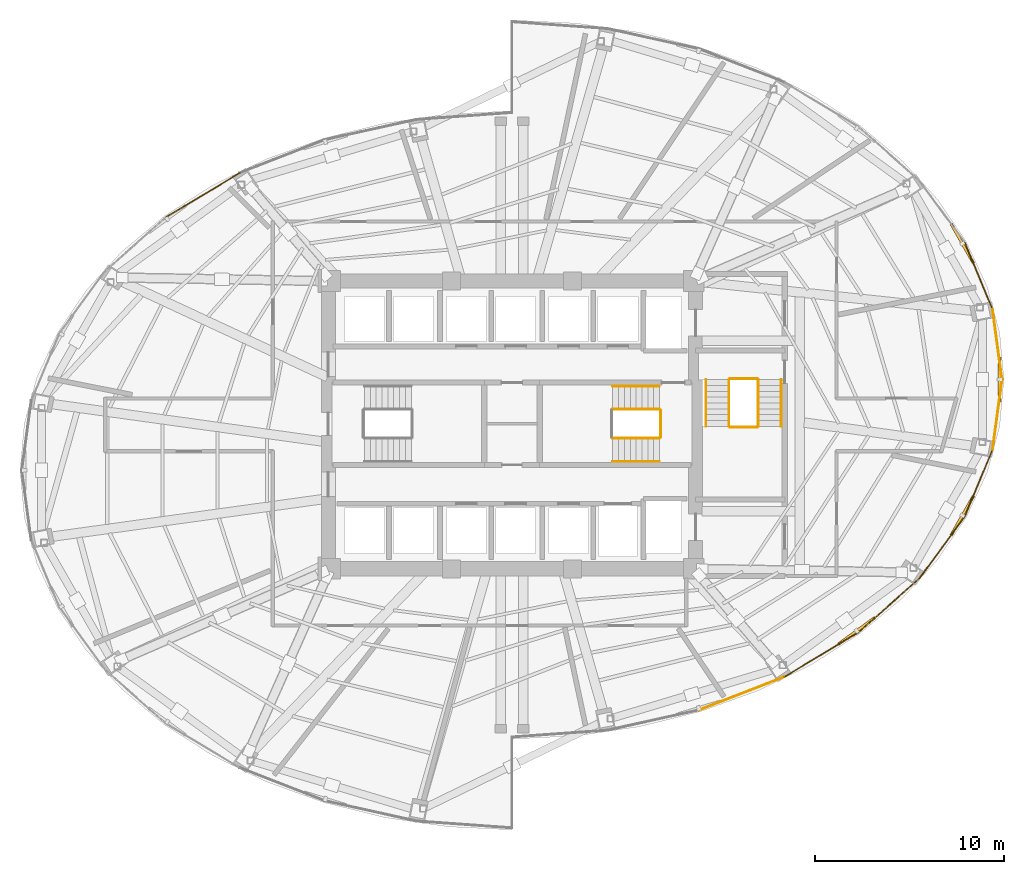
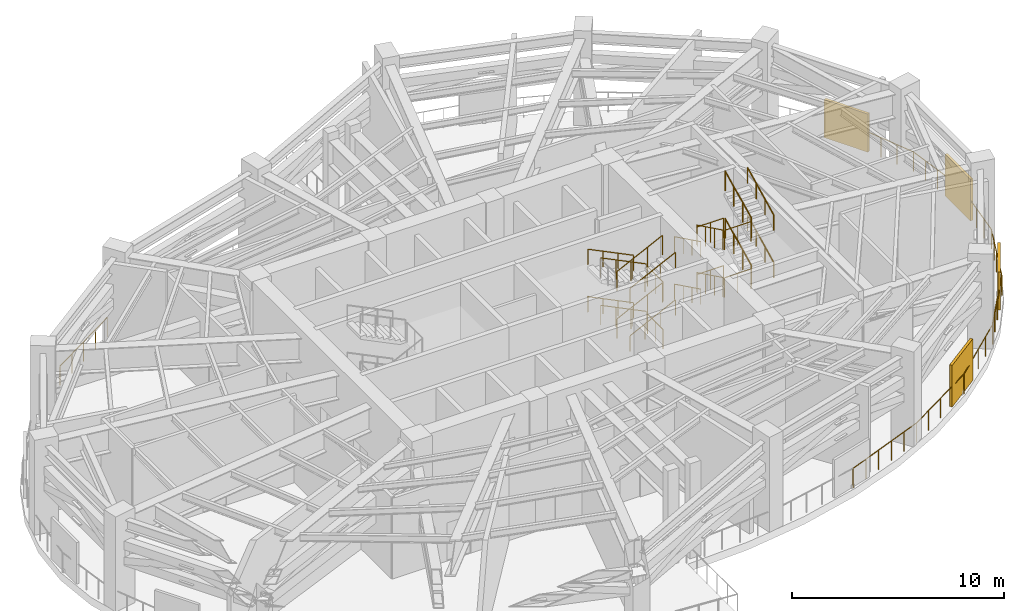
# One storey, part 11 of 12: 31 railings, 4 shading devices.
"""IFC4 building model written with IfcOpenShell, lengths in metres."""

from ifc_helpers import new_model, si_unit, direction, frame, origin, origin_2d, place, context, subcontext, project, spatial, rectangle, circle, extrude, material, type_object, element, save


model = new_model("IFC4")

# Units and contexts
model_context = context("Model", 3, precision=1e-05, world=origin(), true_north=direction((0.0, 1.0)))
body_context = subcontext(model_context, "Body", "Model", "MODEL_VIEW")
ifc_project = project(units=[si_unit("LENGTHUNIT", "METRE"), si_unit("AREAUNIT", "SQUARE_METRE"), si_unit("VOLUMEUNIT", "CUBIC_METRE"), si_unit("PLANEANGLEUNIT", "RADIAN"), si_unit("MASSUNIT", "GRAM", prefix="KILO")], contexts=[model_context])

# Site, building, storey
site_placement = place(None, origin())
site = spatial("IfcSite", under=ifc_project, at=site_placement, CompositionType="ELEMENT")
building_placement = place(site_placement, origin())
building = spatial("IfcBuilding", under=site, at=building_placement, Name="Lazwardi Medical Tower", CompositionType="ELEMENT")
storey_placement = place(building_placement, frame((0.0, 0.0, 132.81591796875)))
storey = spatial("IfcBuildingStorey", under=building, at=storey_placement, Name="L34", CompositionType="ELEMENT", Elevation=132.81591796875)

# Railings
ifc_material_1 = material(Name="Anodised bronze aluminium", Category="aluminium")
railing_type_1 = type_object("IfcRailingType", Name="RLG-BAL-1100", PredefinedType="BALUSTRADE", material=ifc_material_1)
railing_1_placement = place(storey_placement, frame((45.91162109375, 12.938720703125, 0.0)))
element("IfcRailing", 1, at=railing_1_placement, inside=storey, type_object=railing_type_1, Name="L34 Refuge Band Perimeter Balustrade 03", PredefinedType="BALUSTRADE", context=body_context, shape_type="SweptSolid", body=[
    extrude(circle(Radius=0.02392578125, at=origin_2d()), frame((0.0, 0.0, 1.1259765625), z_axis=(0.93163718725, 0.363389806313, 0.0), x_axis=(-0.363389806313, 0.93163718725, 0.0)), (0.0, 0.0, 1.0), 4.806396484375),
    extrude(circle(Radius=0.02099609375, at=origin_2d()), origin(), (0.0, 0.0, 1.0), 1.099853515625),
    extrude(circle(Radius=0.02099609375, at=origin_2d()), frame((0.8955078125, 0.349365234375, 0.0)), (0.0, 0.0, 1.0), 1.099853515625),
    extrude(circle(Radius=0.02099609375, at=origin_2d()), frame((1.791015625, 0.69873046875, 0.0)), (0.0, 0.0, 1.0), 1.099853515625),
    extrude(circle(Radius=0.02099609375, at=origin_2d()), frame((2.686767578125, 1.0478515625, 0.0)), (0.0, 0.0, 1.0), 1.099853515625),
    extrude(circle(Radius=0.02099609375, at=origin_2d()), frame((3.582275390625, 1.397216796875, 0.0)), (0.0, 0.0, 1.0), 1.099853515625),
    extrude(circle(Radius=0.02099609375, at=origin_2d()), frame((4.477783203125, 1.74658203125, 0.0)), (0.0, 0.0, 1.0), 1.099853515625),
])
railing_2_placement = place(storey_placement, frame((50.389404296875, 14.685302734375, 0.0)))
element("IfcRailing", 2, at=railing_2_placement, inside=storey, type_object=railing_type_1, Name="L34 Refuge Band Perimeter Balustrade 04", PredefinedType="BALUSTRADE", context=body_context, shape_type="SweptSolid", body=[
    extrude(circle(Radius=0.02392578125, at=origin_2d()), frame((0.0, 0.0, 1.1259765625), z_axis=(0.857930539763, 0.513765694594, 0.0), x_axis=(-0.513765694594, 0.857930539763, 0.0)), (0.0, 0.0, 1.0), 4.57470703125),
    extrude(circle(Radius=0.02099609375, at=origin_2d()), origin(), (0.0, 0.0, 1.0), 1.099853515625),
    extrude(circle(Radius=0.02099609375, at=origin_2d()), frame((0.981201171875, 0.587646484375, 0.0)), (0.0, 0.0, 1.0), 1.099853515625),
    extrude(circle(Radius=0.02099609375, at=origin_2d()), frame((1.96240234375, 1.17529296875, 0.0)), (0.0, 0.0, 1.0), 1.099853515625),
    extrude(circle(Radius=0.02099609375, at=origin_2d()), frame((2.943603515625, 1.7626953125, 0.0)), (0.0, 0.0, 1.0), 1.099853515625),
    extrude(circle(Radius=0.02099609375, at=origin_2d()), frame((3.9248046875, 2.350341796875, 0.0)), (0.0, 0.0, 1.0), 1.099853515625),
])
railing_3_placement = place(storey_placement, frame((54.314208984375, 17.03564453125, 0.0)))
element("IfcRailing", 3, at=railing_3_placement, inside=storey, type_object=railing_type_1, Name="L34 Refuge Band Perimeter Balustrade 05", PredefinedType="BALUSTRADE", context=body_context, shape_type="SweptSolid", body=[
    extrude(circle(Radius=0.02392578125, at=origin_2d()), frame((0.0, 0.0, 1.1259765625), z_axis=(0.747299927675, 0.664486883314, 0.0), x_axis=(-0.664486883314, 0.747299927675, 0.0)), (0.0, 0.0, 1.0), 4.31005859375),
    extrude(circle(Radius=0.02099609375, at=origin_2d()), origin(), (0.0, 0.0, 1.0), 1.099853515625),
    extrude(circle(Radius=0.02099609375, at=origin_2d()), frame((0.80517578125, 0.716064453125, 0.0)), (0.0, 0.0, 1.0), 1.099853515625),
    extrude(circle(Radius=0.02099609375, at=origin_2d()), frame((1.6103515625, 1.43212890625, 0.0)), (0.0, 0.0, 1.0), 1.099853515625),
    extrude(circle(Radius=0.02099609375, at=origin_2d()), frame((2.415771484375, 2.14794921875, 0.0)), (0.0, 0.0, 1.0), 1.099853515625),
    extrude(circle(Radius=0.02099609375, at=origin_2d()), frame((3.220947265625, 2.864013671875, 0.0)), (0.0, 0.0, 1.0), 1.099853515625),
])
railing_4_placement = place(storey_placement, frame((57.53515625, 19.899658203125, 0.0)))
element("IfcRailing", 4, at=railing_4_placement, inside=storey, type_object=railing_type_1, Name="L34 Refuge Band Perimeter Balustrade 06", PredefinedType="BALUSTRADE", context=body_context, shape_type="SweptSolid", body=[
    extrude(circle(Radius=0.02392578125, at=origin_2d()), frame((0.0, 0.0, 1.1259765625), z_axis=(0.590895807356, 0.806747881837, 0.0), x_axis=(-0.806747881837, 0.590895807356, 0.0)), (0.0, 0.0, 1.0), 4.05029296875),
    extrude(circle(Radius=0.02099609375, at=origin_2d()), origin(), (0.0, 0.0, 1.0), 1.099853515625),
    extrude(circle(Radius=0.02099609375, at=origin_2d()), frame((0.598388671875, 0.81689453125, 0.0)), (0.0, 0.0, 1.0), 1.099853515625),
    extrude(circle(Radius=0.02099609375, at=origin_2d()), frame((1.19677734375, 1.6337890625, 0.0)), (0.0, 0.0, 1.0), 1.099853515625),
    extrude(circle(Radius=0.02099609375, at=origin_2d()), frame((1.794921875, 2.45068359375, 0.0)), (0.0, 0.0, 1.0), 1.099853515625),
    extrude(circle(Radius=0.02099609375, at=origin_2d()), frame((2.393310546875, 3.267578125, 0.0)), (0.0, 0.0, 1.0), 1.099853515625),
])
railing_5_placement = place(storey_placement, frame((59.928466796875, 23.167236328125, 0.0)))
element("IfcRailing", 5, at=railing_5_placement, inside=storey, type_object=railing_type_1, Name="L34 Refuge Band Perimeter Balustrade 07", PredefinedType="BALUSTRADE", context=body_context, shape_type="SweptSolid", body=[
    extrude(circle(Radius=0.02392578125, at=origin_2d()), frame((0.0, 0.0, 1.1259765625), z_axis=(0.383843239309, 0.923398271407, 0.0), x_axis=(-0.923398271407, 0.383843239309, 0.0)), (0.0, 0.0, 1.0), 3.83984375),
    extrude(circle(Radius=0.02099609375, at=origin_2d()), origin(), (0.0, 0.0, 1.0), 1.099853515625),
    extrude(circle(Radius=0.02099609375, at=origin_2d()), frame((0.368408203125, 0.886474609375, 0.0)), (0.0, 0.0, 1.0), 1.099853515625),
    extrude(circle(Radius=0.02099609375, at=origin_2d()), frame((0.73681640625, 1.77294921875, 0.0)), (0.0, 0.0, 1.0), 1.099853515625),
    extrude(circle(Radius=0.02099609375, at=origin_2d()), frame((1.10546875, 2.6591796875, 0.0)), (0.0, 0.0, 1.0), 1.099853515625),
    extrude(circle(Radius=0.02099609375, at=origin_2d()), frame((1.473876953125, 3.545654296875, 0.0)), (0.0, 0.0, 1.0), 1.099853515625),
])
railing_6_placement = place(storey_placement, frame((61.40234375, 26.712890625, 0.0)))
element("IfcRailing", 6, at=railing_6_placement, inside=storey, type_object=railing_type_1, Name="L34 Refuge Band Perimeter Balustrade 08", PredefinedType="BALUSTRADE", context=body_context, shape_type="SweptSolid", body=[
    extrude(circle(Radius=0.02392578125, at=origin_2d()), frame((0.0, 0.0, 1.1259765625), z_axis=(0.13373675188, 0.991016892488, 0.0), x_axis=(-0.991016892488, 0.13373675188, 0.0)), (0.0, 0.0, 1.0), 3.720458984375),
    extrude(circle(Radius=0.02099609375, at=origin_2d()), origin(), (0.0, 0.0, 1.0), 1.099853515625),
    extrude(circle(Radius=0.02099609375, at=origin_2d()), frame((0.12451171875, 0.921875, 0.0)), (0.0, 0.0, 1.0), 1.099853515625),
    extrude(circle(Radius=0.02099609375, at=origin_2d()), frame((0.248779296875, 1.843505859375, 0.0)), (0.0, 0.0, 1.0), 1.099853515625),
    extrude(circle(Radius=0.02099609375, at=origin_2d()), frame((0.373046875, 2.76513671875, 0.0)), (0.0, 0.0, 1.0), 1.099853515625),
    extrude(circle(Radius=0.02099609375, at=origin_2d()), frame((0.49755859375, 3.68701171875, 0.0)), (0.0, 0.0, 1.0), 1.099853515625),
])
railing_7_placement = place(storey_placement, frame((61.89990234375, 30.39990234375, 0.0)))
element("IfcRailing", 7, at=railing_7_placement, inside=storey, type_object=railing_type_1, Name="L34 Refuge Band Perimeter Balustrade 09", PredefinedType="BALUSTRADE", context=body_context, shape_type="SweptSolid", body=[
    extrude(circle(Radius=0.02392578125, at=origin_2d()), frame((0.0, 0.0, 1.1259765625), z_axis=(-0.133728055261, 0.991018066049, 0.0), x_axis=(-0.991018066049, -0.133728055261, 0.0)), (0.0, 0.0, 1.0), 3.720703125),
    extrude(circle(Radius=0.02099609375, at=origin_2d()), origin(), (0.0, 0.0, 1.0), 1.099853515625),
    extrude(circle(Radius=0.02099609375, at=origin_2d()), frame((-0.12451171875, 0.921875, 0.0)), (0.0, 0.0, 1.0), 1.099853515625),
    extrude(circle(Radius=0.02099609375, at=origin_2d()), frame((-0.248779296875, 1.84375, 0.0)), (0.0, 0.0, 1.0), 1.099853515625),
    extrude(circle(Radius=0.02099609375, at=origin_2d()), frame((-0.373046875, 2.765380859375, 0.0)), (0.0, 0.0, 1.0), 1.099853515625),
    extrude(circle(Radius=0.02099609375, at=origin_2d()), frame((-0.49755859375, 3.687255859375, 0.0)), (0.0, 0.0, 1.0), 1.099853515625),
])
railing_8_placement = place(storey_placement, frame((61.40234375, 34.087158203125, 0.0)))
element("IfcRailing", 8, at=railing_8_placement, inside=storey, type_object=railing_type_1, Name="L34 Refuge Band Perimeter Balustrade 10", PredefinedType="BALUSTRADE", context=body_context, shape_type="SweptSolid", body=[
    extrude(circle(Radius=0.02392578125, at=origin_2d()), frame((0.0, 0.0, 1.1259765625), z_axis=(-0.383843239309, 0.923398271407, 0.0), x_axis=(-0.923398271407, -0.383843239309, 0.0)), (0.0, 0.0, 1.0), 3.83984375),
    extrude(circle(Radius=0.02099609375, at=origin_2d()), origin(), (0.0, 0.0, 1.0), 1.099853515625),
    extrude(circle(Radius=0.02099609375, at=origin_2d()), frame((-0.368408203125, 0.886474609375, 0.0)), (0.0, 0.0, 1.0), 1.099853515625),
    extrude(circle(Radius=0.02099609375, at=origin_2d()), frame((-0.73681640625, 1.77294921875, 0.0)), (0.0, 0.0, 1.0), 1.099853515625),
    extrude(circle(Radius=0.02099609375, at=origin_2d()), frame((-1.10546875, 2.6591796875, 0.0)), (0.0, 0.0, 1.0), 1.099853515625),
    extrude(circle(Radius=0.02099609375, at=origin_2d()), frame((-1.473876953125, 3.545654296875, 0.0)), (0.0, 0.0, 1.0), 1.099853515625),
])
railing_9_placement = place(storey_placement, frame((21.610595703125, 41.314697265625, 0.0)))
element("IfcRailing", 9, at=railing_9_placement, inside=storey, type_object=railing_type_1, Name="L34 Refuge Band Perimeter Balustrade 21", PredefinedType="BALUSTRADE", context=body_context, shape_type="SweptSolid", body=[
    extrude(circle(Radius=0.02392578125, at=origin_2d()), frame((0.0, 0.0, 1.1259765625), z_axis=(-0.857930539763, -0.513765694594, 0.0), x_axis=(0.513765694594, -0.857930539763, 0.0)), (0.0, 0.0, 1.0), 4.57470703125),
    extrude(circle(Radius=0.02099609375, at=origin_2d()), origin(), (0.0, 0.0, 1.0), 1.099853515625),
    extrude(circle(Radius=0.02099609375, at=origin_2d()), frame((-0.981201171875, -0.587646484375, 0.0)), (0.0, 0.0, 1.0), 1.099853515625),
    extrude(circle(Radius=0.02099609375, at=origin_2d()), frame((-1.96240234375, -1.17529296875, 0.0)), (0.0, 0.0, 1.0), 1.099853515625),
    extrude(circle(Radius=0.02099609375, at=origin_2d()), frame((-2.943603515625, -1.7626953125, 0.0)), (0.0, 0.0, 1.0), 1.099853515625),
    extrude(circle(Radius=0.02099609375, at=origin_2d()), frame((-3.9248046875, -2.350341796875, 0.0)), (0.0, 0.0, 1.0), 1.099853515625),
])
ifc_material_2 = material(Name="Stainless steel Grade 316", Category="steel")
railing_type_2 = type_object("IfcRailingType", Name="RLG-GRD-1150", PredefinedType="GUARDRAIL", material=ifc_material_2)
railing_10_placement = place(storey_placement, frame((43.800048828125, 28.830078125, 0.152099609375)))
element("IfcRailing", 10, at=railing_10_placement, inside=storey, type_object=railing_type_2, Name="L34 ST2 stair guard 1", PredefinedType="GUARDRAIL", context=body_context, shape_type="SweptSolid", body=[
    extrude(circle(Radius=0.02392578125, at=origin_2d()), frame((0.0, 0.0, 1.1259765625), z_axis=(-0.897865232124, 0.0, 0.440270399804), x_axis=(0.0, -1.0, 0.0)), (0.0, 0.0, 1.0), 2.76220703125),
    extrude(circle(Radius=0.02099609375, at=origin_2d()), origin(), (0.0, 0.0, 1.0), 1.099853515625),
    extrude(circle(Radius=0.02099609375, at=origin_2d()), frame((-0.82666015625, 0.0, 0.4052734375)), (0.0, 0.0, 1.0), 1.099853515625),
    extrude(circle(Radius=0.02099609375, at=origin_2d()), frame((-1.6533203125, 0.0, 0.810791015625)), (0.0, 0.0, 1.0), 1.099853515625),
    extrude(circle(Radius=0.02099609375, at=origin_2d()), frame((-2.47998046875, 0.0, 1.216064453125)), (0.0, 0.0, 1.0), 1.099853515625),
])
railing_11_placement = place(storey_placement, frame((41.320068359375, 27.2900390625, 1.52001953125)))
element("IfcRailing", 11, at=railing_11_placement, inside=storey, type_object=railing_type_2, Name="L34 ST2 stair guard 3", PredefinedType="GUARDRAIL", context=body_context, shape_type="SweptSolid", body=[
    extrude(circle(Radius=0.02392578125, at=origin_2d()), frame((0.0, 0.0, 1.1259765625), z_axis=(0.897865232124, 0.0, 0.440270399804), x_axis=(0.0, 1.0, 0.0)), (0.0, 0.0, 1.0), 2.76220703125),
    extrude(circle(Radius=0.02099609375, at=origin_2d()), origin(), (0.0, 0.0, 1.0), 1.099853515625),
    extrude(circle(Radius=0.02099609375, at=origin_2d()), frame((0.82666015625, 0.0, 0.4052734375)), (0.0, 0.0, 1.0), 1.099853515625),
    extrude(circle(Radius=0.02099609375, at=origin_2d()), frame((1.6533203125, 0.0, 0.810791015625)), (0.0, 0.0, 1.0), 1.099853515625),
    extrude(circle(Radius=0.02099609375, at=origin_2d()), frame((2.47998046875, 0.0, 1.216064453125)), (0.0, 0.0, 1.0), 1.099853515625),
])
railing_12_placement = place(storey_placement, frame((43.85009765625, 28.780029296875, 2.736083984375)))
element("IfcRailing", 12, at=railing_12_placement, inside=storey, type_object=railing_type_2, Name="L34 ST2 stair guard 4", PredefinedType="GUARDRAIL", context=body_context, shape_type="SweptSolid", body=[
    extrude(circle(Radius=0.02392578125, at=origin_2d()), frame((0.0, 0.0, 1.1259765625), z_axis=(0.0, -1.0, 0.0), x_axis=(1.0, 0.0, 0.0)), (0.0, 0.0, 1.0), 1.43994140625),
    extrude(circle(Radius=0.02099609375, at=origin_2d()), origin(), (0.0, 0.0, 1.0), 1.099853515625),
    extrude(circle(Radius=0.02099609375, at=origin_2d()), frame((0.0, -0.719970703125, 0.0)), (0.0, 0.0, 1.0), 1.099853515625),
    extrude(circle(Radius=0.02099609375, at=origin_2d()), frame((0.0, -1.43994140625, 0.0)), (0.0, 0.0, 1.0), 1.099853515625),
])
railing_13_placement = place(storey_placement, frame((43.800048828125, 28.830078125, 2.88818359375)))
element("IfcRailing", 13, at=railing_13_placement, inside=storey, type_object=railing_type_2, Name="L34 ST2 stair guard 5", PredefinedType="GUARDRAIL", context=body_context, shape_type="SweptSolid", body=[
    extrude(circle(Radius=0.02392578125, at=origin_2d()), frame((0.0, 0.0, 1.1259765625), z_axis=(-0.897900171516, 0.0, 0.440199139018), x_axis=(0.0, -1.0, 0.0)), (0.0, 0.0, 1.0), 2.761962890625),
    extrude(circle(Radius=0.02099609375, at=origin_2d()), origin(), (0.0, 0.0, 1.0), 1.099853515625),
    extrude(circle(Radius=0.02099609375, at=origin_2d()), frame((-0.82666015625, 0.0, 0.4052734375)), (0.0, 0.0, 1.0), 1.099853515625),
    extrude(circle(Radius=0.02099609375, at=origin_2d()), frame((-1.6533203125, 0.0, 0.810546875)), (0.0, 0.0, 1.0), 1.099853515625),
    extrude(circle(Radius=0.02099609375, at=origin_2d()), frame((-2.47998046875, 0.0, 1.2158203125)), (0.0, 0.0, 1.0), 1.099853515625),
])
railing_14_placement = place(storey_placement, frame((41.320068359375, 27.2900390625, 4.256103515625)))
element("IfcRailing", 14, at=railing_14_placement, inside=storey, type_object=railing_type_2, Name="L34 ST2 stair guard 7", PredefinedType="GUARDRAIL", context=body_context, shape_type="SweptSolid", body=[
    extrude(circle(Radius=0.02392578125, at=origin_2d()), frame((0.0, 0.0, 1.1259765625), z_axis=(0.897865232124, 0.0, 0.440270399804), x_axis=(0.0, 1.0, 0.0)), (0.0, 0.0, 1.0), 2.76220703125),
    extrude(circle(Radius=0.02099609375, at=origin_2d()), origin(), (0.0, 0.0, 1.0), 1.099853515625),
    extrude(circle(Radius=0.02099609375, at=origin_2d()), frame((0.82666015625, 0.0, 0.4052734375)), (0.0, 0.0, 1.0), 1.099853515625),
    extrude(circle(Radius=0.02099609375, at=origin_2d()), frame((1.6533203125, 0.0, 0.810791015625)), (0.0, 0.0, 1.0), 1.099853515625),
    extrude(circle(Radius=0.02099609375, at=origin_2d()), frame((2.47998046875, 0.0, 1.216064453125)), (0.0, 0.0, 1.0), 1.099853515625),
])
railing_15_placement = place(storey_placement, frame((43.85009765625, 28.780029296875, 0.0)))
element("IfcRailing", 15, at=railing_15_placement, inside=storey, type_object=railing_type_2, Name="L34 ST2 stair guard 8", PredefinedType="GUARDRAIL", context=body_context, shape_type="SweptSolid", body=[
    extrude(circle(Radius=0.02392578125, at=origin_2d()), frame((0.0, 0.0, 1.1259765625), z_axis=(0.0, -1.0, 0.0), x_axis=(1.0, 0.0, 0.0)), (0.0, 0.0, 1.0), 1.43994140625),
    extrude(circle(Radius=0.02099609375, at=origin_2d()), origin(), (0.0, 0.0, 1.0), 1.099853515625),
    extrude(circle(Radius=0.02099609375, at=origin_2d()), frame((0.0, -0.719970703125, 0.0)), (0.0, 0.0, 1.0), 1.099853515625),
    extrude(circle(Radius=0.02099609375, at=origin_2d()), frame((0.0, -1.43994140625, 0.0)), (0.0, 0.0, 1.0), 1.099853515625),
])
railing_16_placement = place(storey_placement, frame((47.469970703125, 30.39990234375, 0.152099609375)))
element("IfcRailing", 16, at=railing_16_placement, inside=storey, type_object=railing_type_2, Name="L34 ST3 stair guard 1", PredefinedType="GUARDRAIL", context=body_context, shape_type="SweptSolid", body=[
    extrude(circle(Radius=0.02392578125, at=origin_2d()), frame((0.0, 0.0, 1.1259765625), z_axis=(0.0, -0.897865232124, 0.440270399804), x_axis=(1.0, 0.0, 0.0)), (0.0, 0.0, 1.0), 2.76220703125),
    extrude(circle(Radius=0.02099609375, at=origin_2d()), origin(), (0.0, 0.0, 1.0), 1.099853515625),
    extrude(circle(Radius=0.02099609375, at=origin_2d()), frame((0.0, -0.82666015625, 0.4052734375)), (0.0, 0.0, 1.0), 1.099853515625),
    extrude(circle(Radius=0.02099609375, at=origin_2d()), frame((0.0, -1.6533203125, 0.810791015625)), (0.0, 0.0, 1.0), 1.099853515625),
    extrude(circle(Radius=0.02099609375, at=origin_2d()), frame((0.0, -2.47998046875, 1.216064453125)), (0.0, 0.0, 1.0), 1.099853515625),
])
railing_17_placement = place(storey_placement, frame((47.52001953125, 27.8701171875, 1.3681640625)))
element("IfcRailing", 17, at=railing_17_placement, inside=storey, type_object=railing_type_2, Name="L34 ST3 stair guard 2", PredefinedType="GUARDRAIL", context=body_context, shape_type="SweptSolid", body=[
    extrude(circle(Radius=0.02392578125, at=origin_2d()), frame((0.0, 0.0, 1.1259765625), z_axis=(1.0, 0.0, 0.0), x_axis=(0.0, 1.0, 0.0)), (0.0, 0.0, 1.0), 1.43994140625),
    extrude(circle(Radius=0.02099609375, at=origin_2d()), origin(), (0.0, 0.0, 1.0), 1.099853515625),
    extrude(circle(Radius=0.02099609375, at=origin_2d()), frame((0.719970703125, 0.0, 0.0)), (0.0, 0.0, 1.0), 1.099853515625),
    extrude(circle(Radius=0.02099609375, at=origin_2d()), frame((1.43994140625, 0.0, 0.0)), (0.0, 0.0, 1.0), 1.099853515625),
])
railing_18_placement = place(storey_placement, frame((49.010009765625, 27.919921875, 1.52001953125)))
element("IfcRailing", 18, at=railing_18_placement, inside=storey, type_object=railing_type_2, Name="L34 ST3 stair guard 3", PredefinedType="GUARDRAIL", context=body_context, shape_type="SweptSolid", body=[
    extrude(circle(Radius=0.02392578125, at=origin_2d()), frame((0.0, 0.0, 1.1259765625), z_axis=(0.0, 0.897865232124, 0.440270399804), x_axis=(-1.0, 0.0, 0.0)), (0.0, 0.0, 1.0), 2.76220703125),
    extrude(circle(Radius=0.02099609375, at=origin_2d()), origin(), (0.0, 0.0, 1.0), 1.099853515625),
    extrude(circle(Radius=0.02099609375, at=origin_2d()), frame((0.0, 0.82666015625, 0.4052734375)), (0.0, 0.0, 1.0), 1.099853515625),
    extrude(circle(Radius=0.02099609375, at=origin_2d()), frame((0.0, 1.6533203125, 0.810791015625)), (0.0, 0.0, 1.0), 1.099853515625),
    extrude(circle(Radius=0.02099609375, at=origin_2d()), frame((0.0, 2.47998046875, 1.216064453125)), (0.0, 0.0, 1.0), 1.099853515625),
])
railing_19_placement = place(storey_placement, frame((47.52001953125, 30.449951171875, 2.736083984375)))
element("IfcRailing", 19, at=railing_19_placement, inside=storey, type_object=railing_type_2, Name="L34 ST3 stair guard 4", PredefinedType="GUARDRAIL", context=body_context, shape_type="SweptSolid", body=[
    extrude(circle(Radius=0.02392578125, at=origin_2d()), frame((0.0, 0.0, 1.1259765625), z_axis=(1.0, 0.0, 0.0), x_axis=(0.0, 1.0, 0.0)), (0.0, 0.0, 1.0), 1.43994140625),
    extrude(circle(Radius=0.02099609375, at=origin_2d()), origin(), (0.0, 0.0, 1.0), 1.099853515625),
    extrude(circle(Radius=0.02099609375, at=origin_2d()), frame((0.719970703125, 0.0, 0.0)), (0.0, 0.0, 1.0), 1.099853515625),
    extrude(circle(Radius=0.02099609375, at=origin_2d()), frame((1.43994140625, 0.0, 0.0)), (0.0, 0.0, 1.0), 1.099853515625),
])
railing_20_placement = place(storey_placement, frame((47.469970703125, 30.39990234375, 2.88818359375)))
element("IfcRailing", 20, at=railing_20_placement, inside=storey, type_object=railing_type_2, Name="L34 ST3 stair guard 5", PredefinedType="GUARDRAIL", context=body_context, shape_type="SweptSolid", body=[
    extrude(circle(Radius=0.02392578125, at=origin_2d()), frame((0.0, 0.0, 1.1259765625), z_axis=(0.0, -0.897900171516, 0.440199139018), x_axis=(1.0, 0.0, 0.0)), (0.0, 0.0, 1.0), 2.761962890625),
    extrude(circle(Radius=0.02099609375, at=origin_2d()), origin(), (0.0, 0.0, 1.0), 1.099853515625),
    extrude(circle(Radius=0.02099609375, at=origin_2d()), frame((0.0, -0.82666015625, 0.4052734375)), (0.0, 0.0, 1.0), 1.099853515625),
    extrude(circle(Radius=0.02099609375, at=origin_2d()), frame((0.0, -1.6533203125, 0.810546875)), (0.0, 0.0, 1.0), 1.099853515625),
    extrude(circle(Radius=0.02099609375, at=origin_2d()), frame((0.0, -2.47998046875, 1.2158203125)), (0.0, 0.0, 1.0), 1.099853515625),
])
railing_21_placement = place(storey_placement, frame((47.52001953125, 27.8701171875, 4.10400390625)))
element("IfcRailing", 21, at=railing_21_placement, inside=storey, type_object=railing_type_2, Name="L34 ST3 stair guard 6", PredefinedType="GUARDRAIL", context=body_context, shape_type="SweptSolid", body=[
    extrude(circle(Radius=0.02392578125, at=origin_2d()), frame((0.0, 0.0, 1.1259765625), z_axis=(1.0, 0.0, 0.0), x_axis=(0.0, 1.0, 0.0)), (0.0, 0.0, 1.0), 1.43994140625),
    extrude(circle(Radius=0.02099609375, at=origin_2d()), origin(), (0.0, 0.0, 1.0), 1.099853515625),
    extrude(circle(Radius=0.02099609375, at=origin_2d()), frame((0.719970703125, 0.0, 0.0)), (0.0, 0.0, 1.0), 1.099853515625),
    extrude(circle(Radius=0.02099609375, at=origin_2d()), frame((1.43994140625, 0.0, 0.0)), (0.0, 0.0, 1.0), 1.099853515625),
])
railing_22_placement = place(storey_placement, frame((49.010009765625, 27.919921875, 4.256103515625)))
element("IfcRailing", 22, at=railing_22_placement, inside=storey, type_object=railing_type_2, Name="L34 ST3 stair guard 7", PredefinedType="GUARDRAIL", context=body_context, shape_type="SweptSolid", body=[
    extrude(circle(Radius=0.02392578125, at=origin_2d()), frame((0.0, 0.0, 1.1259765625), z_axis=(0.0, 0.897865232124, 0.440270399804), x_axis=(-1.0, 0.0, 0.0)), (0.0, 0.0, 1.0), 2.76220703125),
    extrude(circle(Radius=0.02099609375, at=origin_2d()), origin(), (0.0, 0.0, 1.0), 1.099853515625),
    extrude(circle(Radius=0.02099609375, at=origin_2d()), frame((0.0, 0.82666015625, 0.4052734375)), (0.0, 0.0, 1.0), 1.099853515625),
    extrude(circle(Radius=0.02099609375, at=origin_2d()), frame((0.0, 1.6533203125, 0.810791015625)), (0.0, 0.0, 1.0), 1.099853515625),
    extrude(circle(Radius=0.02099609375, at=origin_2d()), frame((0.0, 2.47998046875, 1.216064453125)), (0.0, 0.0, 1.0), 1.099853515625),
])
railing_23_placement = place(storey_placement, frame((47.52001953125, 30.449951171875, 0.0)))
element("IfcRailing", 23, at=railing_23_placement, inside=storey, type_object=railing_type_2, Name="L34 ST3 stair guard 8", PredefinedType="GUARDRAIL", context=body_context, shape_type="SweptSolid", body=[
    extrude(circle(Radius=0.02392578125, at=origin_2d()), frame((0.0, 0.0, 1.1259765625), z_axis=(1.0, 0.0, 0.0), x_axis=(0.0, 1.0, 0.0)), (0.0, 0.0, 1.0), 1.43994140625),
    extrude(circle(Radius=0.02099609375, at=origin_2d()), origin(), (0.0, 0.0, 1.0), 1.099853515625),
    extrude(circle(Radius=0.02099609375, at=origin_2d()), frame((0.719970703125, 0.0, 0.0)), (0.0, 0.0, 1.0), 1.099853515625),
    extrude(circle(Radius=0.02099609375, at=origin_2d()), frame((1.43994140625, 0.0, 0.0)), (0.0, 0.0, 1.0), 1.099853515625),
])
railing_type_3 = type_object("IfcRailingType", Name="RLG-HND-920", PredefinedType="HANDRAIL", material=ifc_material_2)
railing_24_placement = place(storey_placement, frame((43.800048828125, 30.050048828125, 0.152099609375)))
element("IfcRailing", 24, at=railing_24_placement, inside=storey, type_object=railing_type_3, Name="L34 ST2 stair handrail 1", PredefinedType="HANDRAIL", context=body_context, shape_type="SweptSolid", body=[
    extrude(circle(Radius=0.02392578125, at=origin_2d()), frame((0.0, 0.0, 0.8857421875), z_axis=(-0.897865232124, 0.0, 0.440270399804), x_axis=(0.0, -1.0, 0.0)), (0.0, 0.0, 1.0), 2.76220703125),
    extrude(circle(Radius=0.02099609375, at=origin_2d()), origin(), (0.0, 0.0, 1.0), 0.85986328125),
    extrude(circle(Radius=0.02099609375, at=origin_2d()), frame((-0.82666015625, 0.0, 0.4052734375)), (0.0, 0.0, 1.0), 0.85986328125),
    extrude(circle(Radius=0.02099609375, at=origin_2d()), frame((-1.6533203125, 0.0, 0.810791015625)), (0.0, 0.0, 1.0), 0.85986328125),
    extrude(circle(Radius=0.02099609375, at=origin_2d()), frame((-2.47998046875, 0.0, 1.216064453125)), (0.0, 0.0, 1.0), 0.85986328125),
])
railing_25_placement = place(storey_placement, frame((41.320068359375, 26.070068359375, 1.52001953125)))
element("IfcRailing", 25, at=railing_25_placement, inside=storey, type_object=railing_type_3, Name="L34 ST2 stair handrail 2", PredefinedType="HANDRAIL", context=body_context, shape_type="SweptSolid", body=[
    extrude(circle(Radius=0.02392578125, at=origin_2d()), frame((0.0, 0.0, 0.8857421875), z_axis=(0.897865232124, 0.0, 0.440270399804), x_axis=(0.0, 1.0, 0.0)), (0.0, 0.0, 1.0), 2.76220703125),
    extrude(circle(Radius=0.02099609375, at=origin_2d()), origin(), (0.0, 0.0, 1.0), 0.85986328125),
    extrude(circle(Radius=0.02099609375, at=origin_2d()), frame((0.82666015625, 0.0, 0.4052734375)), (0.0, 0.0, 1.0), 0.85986328125),
    extrude(circle(Radius=0.02099609375, at=origin_2d()), frame((1.6533203125, 0.0, 0.810791015625)), (0.0, 0.0, 1.0), 0.85986328125),
    extrude(circle(Radius=0.02099609375, at=origin_2d()), frame((2.47998046875, 0.0, 1.216064453125)), (0.0, 0.0, 1.0), 0.85986328125),
])
railing_26_placement = place(storey_placement, frame((43.800048828125, 30.050048828125, 2.88818359375)))
element("IfcRailing", 26, at=railing_26_placement, inside=storey, type_object=railing_type_3, Name="L34 ST2 stair handrail 3", PredefinedType="HANDRAIL", context=body_context, shape_type="SweptSolid", body=[
    extrude(circle(Radius=0.02392578125, at=origin_2d()), frame((0.0, 0.0, 0.8857421875), z_axis=(-0.897900171516, 0.0, 0.440199139018), x_axis=(0.0, -1.0, 0.0)), (0.0, 0.0, 1.0), 2.761962890625),
    extrude(circle(Radius=0.02099609375, at=origin_2d()), origin(), (0.0, 0.0, 1.0), 0.85986328125),
    extrude(circle(Radius=0.02099609375, at=origin_2d()), frame((-0.82666015625, 0.0, 0.4052734375)), (0.0, 0.0, 1.0), 0.85986328125),
    extrude(circle(Radius=0.02099609375, at=origin_2d()), frame((-1.6533203125, 0.0, 0.810546875)), (0.0, 0.0, 1.0), 0.85986328125),
    extrude(circle(Radius=0.02099609375, at=origin_2d()), frame((-2.47998046875, 0.0, 1.2158203125)), (0.0, 0.0, 1.0), 0.85986328125),
])
railing_27_placement = place(storey_placement, frame((41.320068359375, 26.070068359375, 4.256103515625)))
element("IfcRailing", 27, at=railing_27_placement, inside=storey, type_object=railing_type_3, Name="L34 ST2 stair handrail 4", PredefinedType="HANDRAIL", context=body_context, shape_type="SweptSolid", body=[
    extrude(circle(Radius=0.02392578125, at=origin_2d()), frame((0.0, 0.0, 0.8857421875), z_axis=(0.897865232124, 0.0, 0.440270399804), x_axis=(0.0, 1.0, 0.0)), (0.0, 0.0, 1.0), 2.76220703125),
    extrude(circle(Radius=0.02099609375, at=origin_2d()), origin(), (0.0, 0.0, 1.0), 0.85986328125),
    extrude(circle(Radius=0.02099609375, at=origin_2d()), frame((0.82666015625, 0.0, 0.4052734375)), (0.0, 0.0, 1.0), 0.85986328125),
    extrude(circle(Radius=0.02099609375, at=origin_2d()), frame((1.6533203125, 0.0, 0.810791015625)), (0.0, 0.0, 1.0), 0.85986328125),
    extrude(circle(Radius=0.02099609375, at=origin_2d()), frame((2.47998046875, 0.0, 1.216064453125)), (0.0, 0.0, 1.0), 0.85986328125),
])
railing_28_placement = place(storey_placement, frame((46.25, 30.39990234375, 0.152099609375)))
element("IfcRailing", 28, at=railing_28_placement, inside=storey, type_object=railing_type_3, Name="L34 ST3 stair handrail 1", PredefinedType="HANDRAIL", context=body_context, shape_type="SweptSolid", body=[
    extrude(circle(Radius=0.02392578125, at=origin_2d()), frame((0.0, 0.0, 0.8857421875), z_axis=(0.0, -0.897865232124, 0.440270399804), x_axis=(1.0, 0.0, 0.0)), (0.0, 0.0, 1.0), 2.76220703125),
    extrude(circle(Radius=0.02099609375, at=origin_2d()), origin(), (0.0, 0.0, 1.0), 0.85986328125),
    extrude(circle(Radius=0.02099609375, at=origin_2d()), frame((0.0, -0.82666015625, 0.4052734375)), (0.0, 0.0, 1.0), 0.85986328125),
    extrude(circle(Radius=0.02099609375, at=origin_2d()), frame((0.0, -1.6533203125, 0.810791015625)), (0.0, 0.0, 1.0), 0.85986328125),
    extrude(circle(Radius=0.02099609375, at=origin_2d()), frame((0.0, -2.47998046875, 1.216064453125)), (0.0, 0.0, 1.0), 0.85986328125),
])
railing_29_placement = place(storey_placement, frame((50.22998046875, 27.919921875, 1.52001953125)))
element("IfcRailing", 29, at=railing_29_placement, inside=storey, type_object=railing_type_3, Name="L34 ST3 stair handrail 2", PredefinedType="HANDRAIL", context=body_context, shape_type="SweptSolid", body=[
    extrude(circle(Radius=0.02392578125, at=origin_2d()), frame((0.0, 0.0, 0.8857421875), z_axis=(0.0, 0.897865232124, 0.440270399804), x_axis=(-1.0, 0.0, 0.0)), (0.0, 0.0, 1.0), 2.76220703125),
    extrude(circle(Radius=0.02099609375, at=origin_2d()), origin(), (0.0, 0.0, 1.0), 0.85986328125),
    extrude(circle(Radius=0.02099609375, at=origin_2d()), frame((0.0, 0.82666015625, 0.4052734375)), (0.0, 0.0, 1.0), 0.85986328125),
    extrude(circle(Radius=0.02099609375, at=origin_2d()), frame((0.0, 1.6533203125, 0.810791015625)), (0.0, 0.0, 1.0), 0.85986328125),
    extrude(circle(Radius=0.02099609375, at=origin_2d()), frame((0.0, 2.47998046875, 1.216064453125)), (0.0, 0.0, 1.0), 0.85986328125),
])
railing_30_placement = place(storey_placement, frame((46.25, 30.39990234375, 2.88818359375)))
element("IfcRailing", 30, at=railing_30_placement, inside=storey, type_object=railing_type_3, Name="L34 ST3 stair handrail 3", PredefinedType="HANDRAIL", context=body_context, shape_type="SweptSolid", body=[
    extrude(circle(Radius=0.02392578125, at=origin_2d()), frame((0.0, 0.0, 0.8857421875), z_axis=(0.0, -0.897900171516, 0.440199139018), x_axis=(1.0, 0.0, 0.0)), (0.0, 0.0, 1.0), 2.761962890625),
    extrude(circle(Radius=0.02099609375, at=origin_2d()), origin(), (0.0, 0.0, 1.0), 0.85986328125),
    extrude(circle(Radius=0.02099609375, at=origin_2d()), frame((0.0, -0.82666015625, 0.4052734375)), (0.0, 0.0, 1.0), 0.85986328125),
    extrude(circle(Radius=0.02099609375, at=origin_2d()), frame((0.0, -1.6533203125, 0.810546875)), (0.0, 0.0, 1.0), 0.85986328125),
    extrude(circle(Radius=0.02099609375, at=origin_2d()), frame((0.0, -2.47998046875, 1.2158203125)), (0.0, 0.0, 1.0), 0.85986328125),
])
railing_31_placement = place(storey_placement, frame((50.22998046875, 27.919921875, 4.256103515625)))
element("IfcRailing", 31, at=railing_31_placement, inside=storey, type_object=railing_type_3, Name="L34 ST3 stair handrail 4", PredefinedType="HANDRAIL", context=body_context, shape_type="SweptSolid", body=[
    extrude(circle(Radius=0.02392578125, at=origin_2d()), frame((0.0, 0.0, 0.8857421875), z_axis=(0.0, 0.897865232124, 0.440270399804), x_axis=(-1.0, 0.0, 0.0)), (0.0, 0.0, 1.0), 2.76220703125),
    extrude(circle(Radius=0.02099609375, at=origin_2d()), origin(), (0.0, 0.0, 1.0), 0.85986328125),
    extrude(circle(Radius=0.02099609375, at=origin_2d()), frame((0.0, 0.82666015625, 0.4052734375)), (0.0, 0.0, 1.0), 0.85986328125),
    extrude(circle(Radius=0.02099609375, at=origin_2d()), frame((0.0, 1.6533203125, 0.810791015625)), (0.0, 0.0, 1.0), 0.85986328125),
    extrude(circle(Radius=0.02099609375, at=origin_2d()), frame((0.0, 2.47998046875, 1.216064453125)), (0.0, 0.0, 1.0), 0.85986328125),
])

# Shading devices
ifc_material_3 = material(Name="Anodised bronze aluminium storm louvre", Category="aluminium")
shading_device_type_1 = type_object("IfcShadingDeviceType", Name="SHD-LVR-01", PredefinedType="JALOUSIE", material=ifc_material_3)
for number, where, z_axis, x_axis, name in (
    (32, (59.799560546875, 23.21240234375, 0.0), (0.0, 0.0, 1.0), (0.493967664801, 0.869480273572, 0.0), "L34 Tropical Storm Louvre 03"),
    (33, (59.799560546875, 37.587646484375, 0.0), (0.0, 0.0, 1.0), (-0.493967664801, 0.869480273572, 0.0), "L34 Tropical Storm Louvre 05"),
):
    element("IfcShadingDevice", number, at=place(storey_placement, frame(where, z_axis=z_axis, x_axis=x_axis)), inside=storey, type_object=shading_device_type_1, Name=name, PredefinedType="JALOUSIE", context=body_context, shape_type="SweptSolid", body=[
        extrude(rectangle(XDim=2.39990234375, YDim=0.139892578125, at=origin_2d()), origin(), (0.0, 0.0, 1.0), 2.199951171875),
    ])
ifc_material_4 = material(Name="Perforated bronze girih solar screen", Category="aluminium")
shading_device_type_2 = type_object("IfcShadingDeviceType", Name="SHD-SCR-01", PredefinedType="USERDEFINED", material=ifc_material_4)
for number, where, z_axis, x_axis, name in (
    (34, (54.21533203125, 17.119140625, 0.000244140625), (0.0, 0.0, 1.0), (0.808043354335, 0.589123024091, 0.0), "L34 Bronze Girih Solar Screen 02"),
    (35, (61.76025390625, 30.39990234375, 0.000244140625), (0.0, 0.0, 1.0), (0.0, 1.0, 0.0), "L34 Bronze Girih Solar Screen 04"),
):
    element("IfcShadingDevice", number, at=place(storey_placement, frame(where, z_axis=z_axis, x_axis=x_axis)), inside=storey, type_object=shading_device_type_2, Name=name, ObjectType="SCREEN", PredefinedType="USERDEFINED", context=body_context, shape_type="SweptSolid", body=[
        extrude(rectangle(XDim=2.39990234375, YDim=0.139892578125, at=origin_2d()), origin(), (0.0, 0.0, 1.0), 2.39990234375),
    ])

save(model, "model.ifc")
